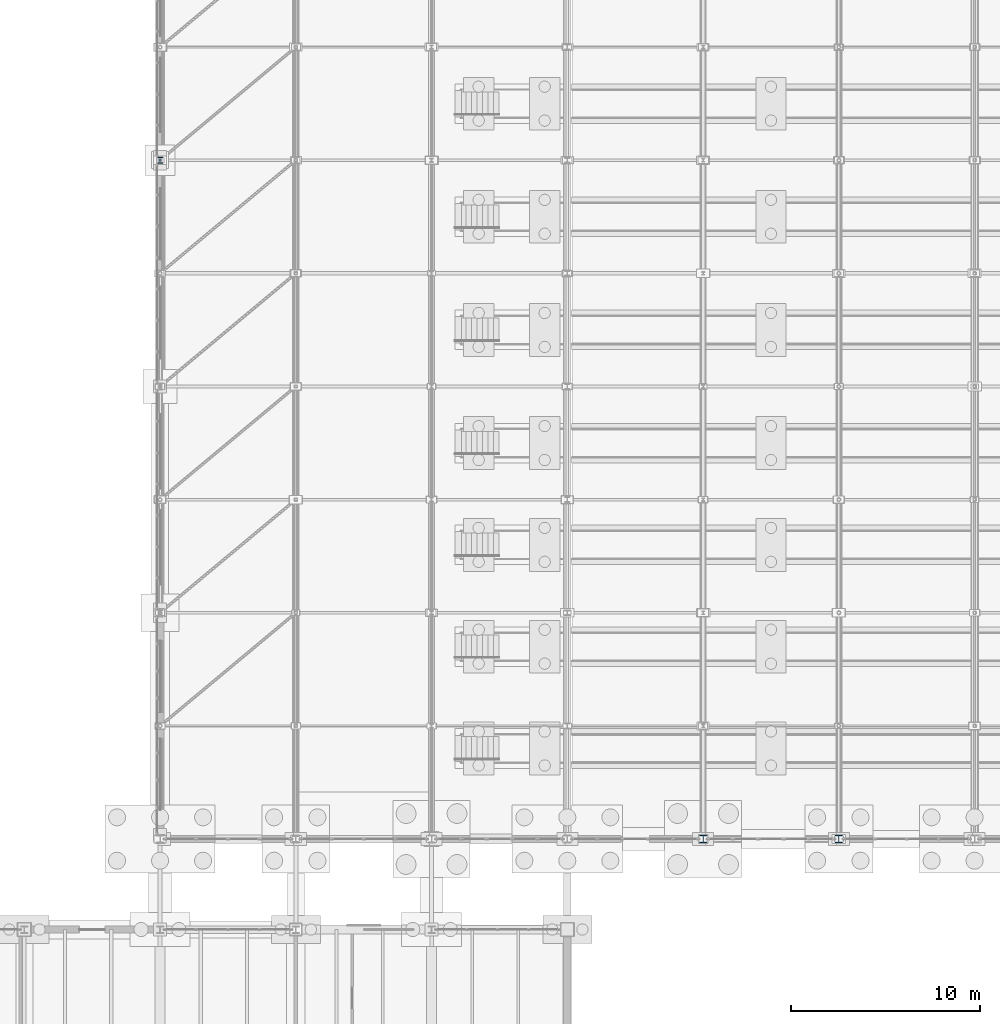
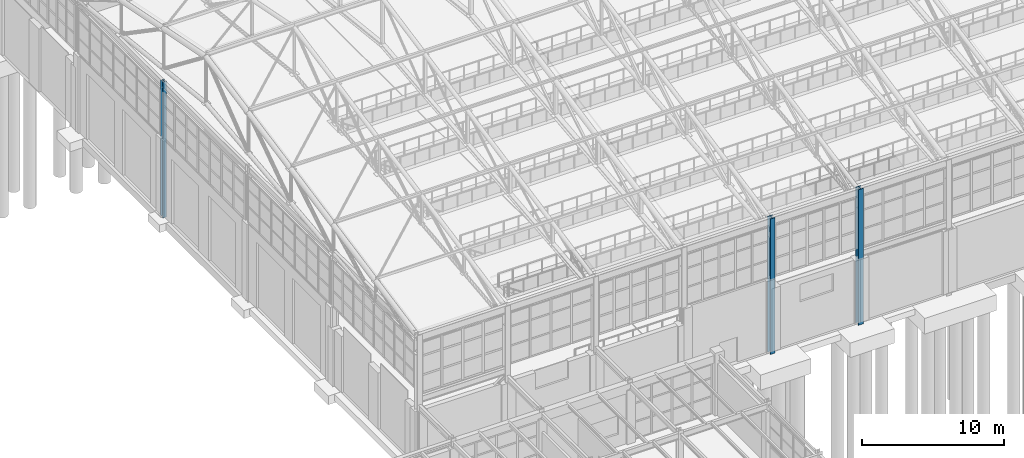
# One storey, part 24 of 293: 3 columns.
"""IFC4 building model written with IfcOpenShell, lengths in metres."""

from ifc_helpers import new_model, si_unit, direction, frame, origin, origin_2d, place, context, subcontext, project, spatial, i_section, extrude, material, material_profile, profile_set, type_object, element, save


model = new_model("IFC4")

# Units and contexts
model_context = context("Model", 3, precision=1e-05, world=origin(), true_north=direction((0.0, 1.0)))
body_context = subcontext(model_context, "Body", "Model", "MODEL_VIEW")
ifc_project = project(units=[si_unit("LENGTHUNIT", "METRE"), si_unit("AREAUNIT", "SQUARE_METRE"), si_unit("VOLUMEUNIT", "CUBIC_METRE"), si_unit("PLANEANGLEUNIT", "RADIAN"), si_unit("MASSUNIT", "GRAM", prefix="KILO")], contexts=[model_context])

# Site, building, storey
site_placement = place(None, origin())
site = spatial("IfcSite", under=ifc_project, at=site_placement, CompositionType="ELEMENT")
building_placement = place(site_placement, origin())
building = spatial("IfcBuilding", under=site, at=building_placement, Name="Kemerveld Promenade Tramway Depot", CompositionType="ELEMENT")
storey_placement = place(building_placement, origin())
storey = spatial("IfcBuildingStorey", under=building, at=storey_placement, Name="L00", CompositionType="ELEMENT", Elevation=0.0)

# Columns
ifc_material = material(Name="Steel S355", Category="steel")
ifc_material_profile_1 = material_profile(ifc_material, i_section(OverallWidth=0.403076171875, OverallDepth=0.406494140625, WebThickness=0.026611328125, FlangeThickness=0.04296875, FilletRadius=0.01513671875, at=origin_2d()), Name="356x406x340 UC")
ifc_profile_set_1 = profile_set([ifc_material_profile_1], Name="Steel S355")
column_type_1 = type_object("IfcColumnType", Name="COL-S01", PredefinedType="COLUMN", material=ifc_profile_set_1)
for number, where, z_axis, x_axis, name in (
    (1, (64.800048828125, 84.0, -0.300048828125), (0.0, 0.0, 1.0), (1.0, 0.0, 0.0), "COL-L00-10-N"),
    (2, (72.0, 84.0, -0.300048828125), (0.0, 0.0, 1.0), (1.0, 0.0, 0.0), "COL-L00-11-N"),
):
    element("IfcColumn", number, at=place(storey_placement, frame(where, z_axis=z_axis, x_axis=x_axis)), inside=storey, type_object=column_type_1, Name=name, PredefinedType="COLUMN", context=body_context, shape_type="SweptSolid", body=[
        extrude(i_section(OverallWidth=0.403076171875, OverallDepth=0.406494140625, WebThickness=0.026611328125, FlangeThickness=0.04296875, FilletRadius=0.01513671875, at=origin_2d()), origin(), (0.0, 0.0, 1.0), 11.699951171875),
    ])
ifc_material_profile_2 = material_profile(ifc_material, i_section(OverallWidth=0.311279296875, OverallDepth=0.3271484375, WebThickness=0.015869140625, FlangeThickness=0.02490234375, FilletRadius=0.01513671875, at=origin_2d()), Name="305x305x158 UC")
ifc_profile_set_2 = profile_set([ifc_material_profile_2], Name="Steel S355")
column_type_2 = type_object("IfcColumnType", Name="COL-S05", PredefinedType="COLUMN", material=ifc_profile_set_2)
column_placement = place(storey_placement, frame((36.0, 120.0, -0.300048828125), z_axis=(0.0, 0.0, 1.0), x_axis=(1.0, 0.0, 0.0)))
element("IfcColumn", 3, at=column_placement, inside=storey, type_object=column_type_2, Name="COL-L00-06-R", PredefinedType="COLUMN", context=body_context, shape_type="SweptSolid", body=[
    extrude(i_section(OverallWidth=0.311279296875, OverallDepth=0.3271484375, WebThickness=0.015869140625, FlangeThickness=0.02490234375, FilletRadius=0.01513671875, at=origin_2d()), origin(), (0.0, 0.0, 1.0), 11.699951171875),
])

save(model, "model.ifc")
